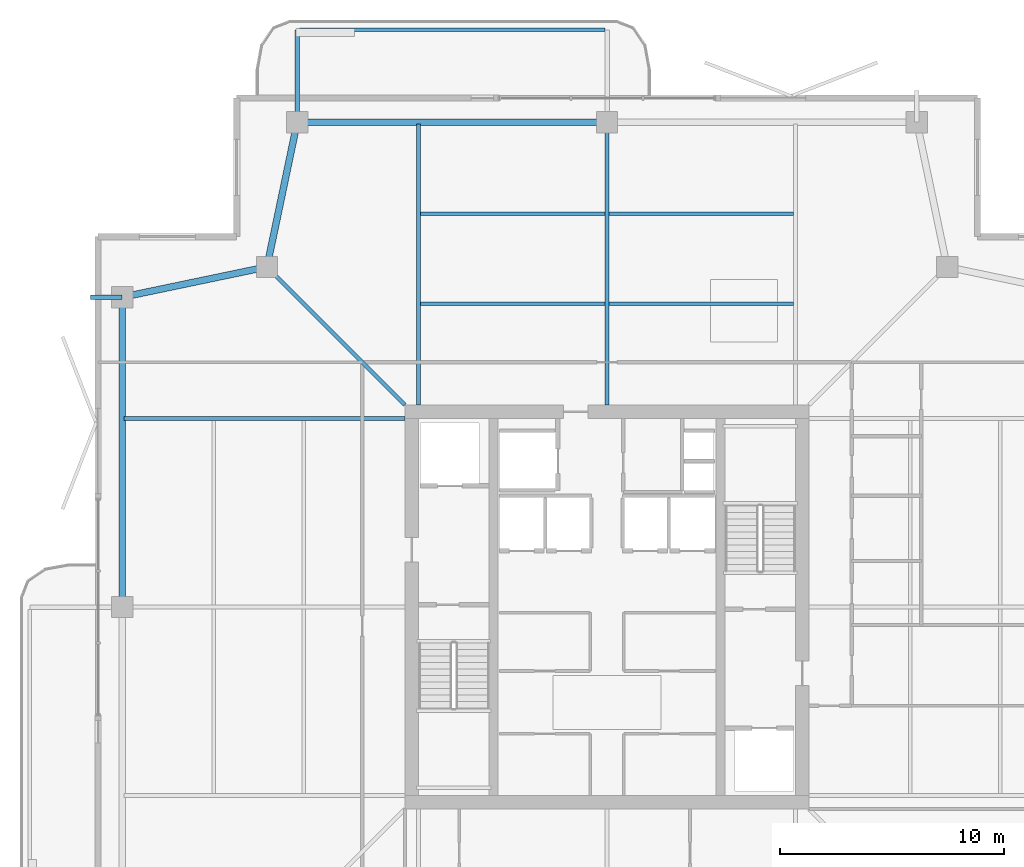
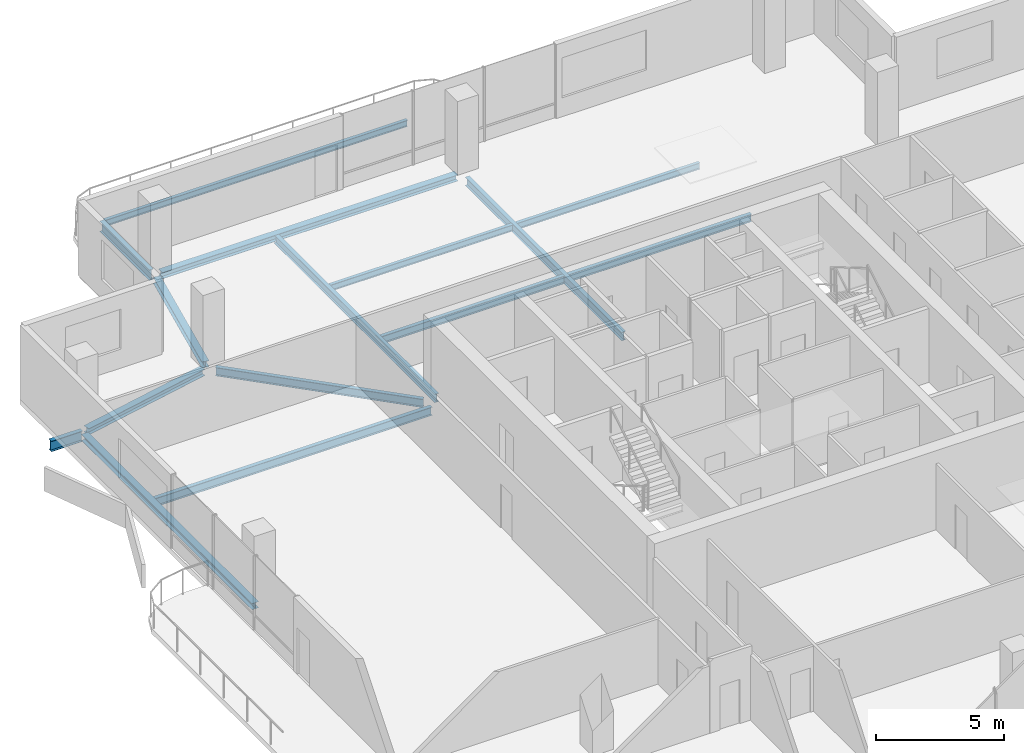
# One storey, part 9 of 18: 15 beams.
"""IFC4 building model written with IfcOpenShell, lengths in metres."""

from ifc_helpers import new_model, si_unit, direction, frame, origin, origin_2d, place, context, subcontext, project, spatial, i_section, extrude, material, material_profile, profile_set, type_object, element, save


model = new_model("IFC4")

# Units and contexts
model_context = context("Model", 3, precision=1e-05, world=origin(), true_north=direction((0.0, 1.0)))
body_context = subcontext(model_context, "Body", "Model", "MODEL_VIEW")
ifc_project = project(units=[si_unit("LENGTHUNIT", "METRE"), si_unit("AREAUNIT", "SQUARE_METRE"), si_unit("VOLUMEUNIT", "CUBIC_METRE"), si_unit("PLANEANGLEUNIT", "RADIAN"), si_unit("MASSUNIT", "GRAM", prefix="KILO")], contexts=[model_context])

# Site, building, storey
site_placement = place(None, origin())
site = spatial("IfcSite", under=ifc_project, at=site_placement, CompositionType="ELEMENT")
building_placement = place(site_placement, origin())
building = spatial("IfcBuilding", under=site, at=building_placement, Name="Belovzor Exchange Tower", CompositionType="ELEMENT")
storey_placement = place(building_placement, frame((0.0, 0.0, 310.5)))
storey = spatial("IfcBuildingStorey", under=building, at=storey_placement, Name="L77", CompositionType="ELEMENT", Elevation=310.5)

# Beams
ifc_material_1 = material(Name="Steel S355", Category="steel")
ifc_material_profile_1 = material_profile(ifc_material_1, i_section(OverallWidth=0.199951171875, OverallDepth=0.5, WebThickness=0.01025390625, FlangeThickness=0.01611328125, at=origin_2d()))
ifc_profile_set_1 = profile_set([ifc_material_profile_1], Name="Steel S355")
beam_type_1 = type_object("IfcBeamType", Name="Planted Balcony Cantilever Beam IPE 500", PredefinedType="BEAM", material=ifc_profile_set_1)
beam_1_placement = place(storey_placement, frame((15.0, 50.660888671875, -0.489990234375), z_axis=(0.0, 1.0, 0.0), x_axis=(-1.0, 0.0, 0.0)))
element("IfcBeam", 1, at=beam_1_placement, inside=storey, type_object=beam_type_1, Name="BC-500 Planted Balcony Cantilever Beam IPE 500", PredefinedType="BEAM", context=body_context, shape_type="SweptSolid", body=[
    extrude(i_section(OverallWidth=0.199951171875, OverallDepth=0.5, WebThickness=0.01025390625, FlangeThickness=0.01611328125, at=origin_2d()), origin(), (0.0, 0.0, 1.0), 3.85009765625),
])
beam_2_placement = place(storey_placement, frame((7.199951171875, 42.60009765625, -0.489990234375), z_axis=(-1.0, 0.0, 0.0), x_axis=(0.0, -1.0, 0.0)))
element("IfcBeam", 2, at=beam_2_placement, inside=storey, type_object=beam_type_1, Name="BC-500 Planted Balcony Cantilever Beam IPE 500", PredefinedType="BEAM", context=body_context, shape_type="SweptSolid", body=[
    extrude(i_section(OverallWidth=0.199951171875, OverallDepth=0.5, WebThickness=0.01025390625, FlangeThickness=0.01611328125, at=origin_2d()), origin(), (0.0, 0.0, 1.0), 1.39990234375),
])
ifc_material_2 = material(Name="Steel S355", Category="steel")
ifc_material_profile_2 = material_profile(ifc_material_2, i_section(OverallWidth=0.14990234375, OverallDepth=0.300048828125, WebThickness=0.007080078125, FlangeThickness=0.0107421875, at=origin_2d()))
ifc_profile_set_2 = profile_set([ifc_material_profile_2], Name="Steel S355")
beam_type_2 = type_object("IfcBeamType", Name="Planted Balcony Fascia Edge Beam IPE 300", PredefinedType="BEAM", material=ifc_profile_set_2)
beam_3_placement = place(storey_placement, frame((28.699951171875, 54.510986328125, -0.389892578125), z_axis=(-1.0, 0.0, 0.0), x_axis=(0.0, -1.0, 0.0)))
element("IfcBeam", 3, at=beam_3_placement, inside=storey, type_object=beam_type_2, Name="BC-300 Planted Balcony Fascia Edge Beam IPE 300", PredefinedType="BEAM", context=body_context, shape_type="SweptSolid", body=[
    extrude(i_section(OverallWidth=0.14990234375, OverallDepth=0.300048828125, WebThickness=0.007080078125, FlangeThickness=0.0107421875, at=origin_2d()), origin(), (0.0, 0.0, 1.0), 13.599853515625),
])
ifc_material_3 = material(Name="Steel S355", Category="steel")
ifc_material_profile_3 = material_profile(ifc_material_3, i_section(OverallWidth=0.169921875, OverallDepth=0.360107421875, WebThickness=0.008056640625, FlangeThickness=0.0126953125, at=origin_2d()))
ifc_profile_set_3 = profile_set([ifc_material_profile_3], Name="Steel S355")
beam_type_3 = type_object("IfcBeamType", Name="Secondary Infill Floor Joist IPE 360", PredefinedType="BEAM", material=ifc_profile_set_3)
beam_4_placement = place(storey_placement, frame((20.489990234375, 42.30908203125, -0.419921875), z_axis=(1.0, 0.0, 0.0), x_axis=(0.0, 1.0, 0.0)))
element("IfcBeam", 4, at=beam_4_placement, inside=storey, type_object=beam_type_3, Name="FJ-360 Secondary Infill Floor Joist IPE 360", PredefinedType="BEAM", context=body_context, shape_type="SweptSolid", body=[
    extrude(i_section(OverallWidth=0.169921875, OverallDepth=0.360107421875, WebThickness=0.008056640625, FlangeThickness=0.0126953125, at=origin_2d()), origin(), (0.0, 0.0, 1.0), 8.219970703125),
])
beam_5_placement = place(storey_placement, frame((28.889892578125, 42.30908203125, -0.419921875), z_axis=(1.0, 0.0, 0.0), x_axis=(0.0, 1.0, 0.0)))
element("IfcBeam", 5, at=beam_5_placement, inside=storey, type_object=beam_type_3, Name="FJ-360 Secondary Infill Floor Joist IPE 360", PredefinedType="BEAM", context=body_context, shape_type="SweptSolid", body=[
    extrude(i_section(OverallWidth=0.169921875, OverallDepth=0.360107421875, WebThickness=0.008056640625, FlangeThickness=0.0126953125, at=origin_2d()), origin(), (0.0, 0.0, 1.0), 8.22021484375),
])
ifc_material_4 = material(Name="Steel S355", Category="steel")
ifc_material_profile_4 = material_profile(ifc_material_4, i_section(OverallWidth=0.14990234375, OverallDepth=0.300048828125, WebThickness=0.007080078125, FlangeThickness=0.0107421875, at=origin_2d()))
ifc_profile_set_4 = profile_set([ifc_material_profile_4], Name="Steel S355")
beam_type_4 = type_object("IfcBeamType", Name="Secondary Trim Floor Joist IPE 300", PredefinedType="BEAM", material=ifc_profile_set_4)
beam_6_placement = place(storey_placement, frame((20.489990234375, 46.31689453125, -0.389892578125), z_axis=(1.0, 0.0, 0.0), x_axis=(0.0, 1.0, 0.0)))
element("IfcBeam", 6, at=beam_6_placement, inside=storey, type_object=beam_type_4, Name="FJ-300 Secondary Trim Floor Joist IPE 300", PredefinedType="BEAM", context=body_context, shape_type="SweptSolid", body=[
    extrude(i_section(OverallWidth=0.14990234375, OverallDepth=0.300048828125, WebThickness=0.007080078125, FlangeThickness=0.0107421875, at=origin_2d()), origin(), (0.0, 0.0, 1.0), 8.219970703125),
])
beam_7_placement = place(storey_placement, frame((28.889892578125, 46.31689453125, -0.389892578125), z_axis=(1.0, 0.0, 0.0), x_axis=(0.0, 1.0, 0.0)))
element("IfcBeam", 7, at=beam_7_placement, inside=storey, type_object=beam_type_4, Name="FJ-300 Secondary Trim Floor Joist IPE 300", PredefinedType="BEAM", context=body_context, shape_type="SweptSolid", body=[
    extrude(i_section(OverallWidth=0.14990234375, OverallDepth=0.300048828125, WebThickness=0.007080078125, FlangeThickness=0.0107421875, at=origin_2d()), origin(), (0.0, 0.0, 1.0), 8.22021484375),
])
ifc_material_5 = material(Name="Steel S355", Category="steel")
ifc_material_profile_5 = material_profile(ifc_material_5, i_section(OverallWidth=0.179931640625, OverallDepth=0.39990234375, WebThickness=0.008544921875, FlangeThickness=0.013427734375, at=origin_2d()))
ifc_profile_set_5 = profile_set([ifc_material_profile_5], Name="Steel S355")
beam_type_5 = type_object("IfcBeamType", Name="Zone 5-6 Radial Composite Floor Beam IPE 400", PredefinedType="BEAM", material=ifc_profile_set_5)
beam_8_placement = place(storey_placement, frame((20.39990234375, 37.800048828125, -0.43994140625), z_axis=(0.0, 1.0, 0.0), x_axis=(-1.0, 0.0, 0.0)))
element("IfcBeam", 8, at=beam_8_placement, inside=storey, type_object=beam_type_5, Name="FB-400 Zone 5-6 Radial Composite Floor Beam IPE 400", PredefinedType="BEAM", context=body_context, shape_type="SweptSolid", body=[
    extrude(i_section(OverallWidth=0.179931640625, OverallDepth=0.39990234375, WebThickness=0.008544921875, FlangeThickness=0.013427734375, at=origin_2d()), origin(), (0.0, 0.0, 1.0), 12.52490234375),
])
beam_9_placement = place(storey_placement, frame((28.800048828125, 37.800048828125, -0.43994140625), z_axis=(0.0, 1.0, 0.0), x_axis=(-1.0, 0.0, 0.0)))
element("IfcBeam", 9, at=beam_9_placement, inside=storey, type_object=beam_type_5, Name="FB-400 Zone 5-6 Radial Composite Floor Beam IPE 400", PredefinedType="BEAM", context=body_context, shape_type="SweptSolid", body=[
    extrude(i_section(OverallWidth=0.179931640625, OverallDepth=0.39990234375, WebThickness=0.008544921875, FlangeThickness=0.013427734375, at=origin_2d()), origin(), (0.0, 0.0, 1.0), 12.181884765625),
])
beam_10_placement = place(storey_placement, frame((19.800048828125, 37.199951171875, -0.43994140625), z_axis=(-1.0, 0.0, 0.0), x_axis=(0.0, -1.0, 0.0)))
element("IfcBeam", 10, at=beam_10_placement, inside=storey, type_object=beam_type_5, Name="FB-400 Zone 5-6 Radial Composite Floor Beam IPE 400", PredefinedType="BEAM", context=body_context, shape_type="SweptSolid", body=[
    extrude(i_section(OverallWidth=0.179931640625, OverallDepth=0.39990234375, WebThickness=0.008544921875, FlangeThickness=0.013427734375, at=origin_2d()), origin(), (0.0, 0.0, 1.0), 12.525146484375),
])
beam_11_placement = place(storey_placement, frame((19.800048828125, 37.800048828125, -0.43994140625), z_axis=(-0.707062982569, 0.707150577091, 0.0), x_axis=(-0.707150577091, -0.707062982569, 0.0)))
element("IfcBeam", 11, at=beam_11_placement, inside=storey, type_object=beam_type_5, Name="FB-400 Zone 5-6 Radial Composite Floor Beam IPE 400", PredefinedType="BEAM", context=body_context, shape_type="SweptSolid", body=[
    extrude(i_section(OverallWidth=0.179931640625, OverallDepth=0.39990234375, WebThickness=0.008544921875, FlangeThickness=0.013427734375, at=origin_2d()), origin(), (0.0, 0.0, 1.0), 8.361572265625),
])
ifc_material_6 = material(Name="Steel S355", Category="steel")
ifc_material_profile_6 = material_profile(ifc_material_6, i_section(OverallWidth=0.300048828125, OverallDepth=0.300048828125, WebThickness=0.008544921875, FlangeThickness=0.013916015625, at=origin_2d()))
ifc_profile_set_6 = profile_set([ifc_material_profile_6], Name="Steel S355")
beam_type_6 = type_object("IfcBeamType", Name="Zone 6 Primary Girder HEA 300", PredefinedType="BEAM", material=ifc_profile_set_6)
beam_12_placement = place(storey_placement, frame((28.5390625, 50.39990234375, -0.389892578125), z_axis=(-1.0, 0.0, 0.0), x_axis=(0.0, -1.0, 0.0)))
element("IfcBeam", 12, at=beam_12_placement, inside=storey, type_object=beam_type_6, Name="FG-Z6 Zone 6 Primary Girder HEA 300", PredefinedType="BEAM", context=body_context, shape_type="SweptSolid", body=[
    extrude(i_section(OverallWidth=0.300048828125, OverallDepth=0.300048828125, WebThickness=0.008544921875, FlangeThickness=0.013916015625, at=origin_2d()), origin(), (0.0, 0.0, 1.0), 13.278076171875),
])
for number, where, z_axis, x_axis, name in (
    (13, (14.946044921875, 50.14404296875, -0.389892578125), (-0.204722380619, -0.978820078908, 0.0), (0.978820078908, -0.204722380619, 0.0), "FG-Z6 Zone 6 Primary Girder HEA 300"),
    (14, (13.39404296875, 43.89599609375, -0.389892578125), (-0.978820078908, -0.204722380619, 0.0), (0.204722380619, -0.978820078908, 0.0), "FG-Z6 Zone 6 Primary Girder HEA 300"),
):
    element("IfcBeam", number, at=place(storey_placement, frame(where, z_axis=z_axis, x_axis=x_axis)), inside=storey, type_object=beam_type_6, Name=name, PredefinedType="BEAM", context=body_context, shape_type="SweptSolid", body=[
        extrude(i_section(OverallWidth=0.300048828125, OverallDepth=0.300048828125, WebThickness=0.008544921875, FlangeThickness=0.013916015625, at=origin_2d()), origin(), (0.0, 0.0, 1.0), 6.06640625),
    ])
beam_13_placement = place(storey_placement, frame((7.199951171875, 42.339111328125, -0.389892578125), z_axis=(0.0, -1.0, 0.0), x_axis=(1.0, 0.0, 0.0)))
element("IfcBeam", 15, at=beam_13_placement, inside=storey, type_object=beam_type_6, Name="FG-Z6 Zone 6 Primary Girder HEA 300", PredefinedType="BEAM", context=body_context, shape_type="SweptSolid", body=[
    extrude(i_section(OverallWidth=0.300048828125, OverallDepth=0.300048828125, WebThickness=0.008544921875, FlangeThickness=0.013916015625, at=origin_2d()), origin(), (0.0, 0.0, 1.0), 13.278076171875),
])

save(model, "model.ifc")
